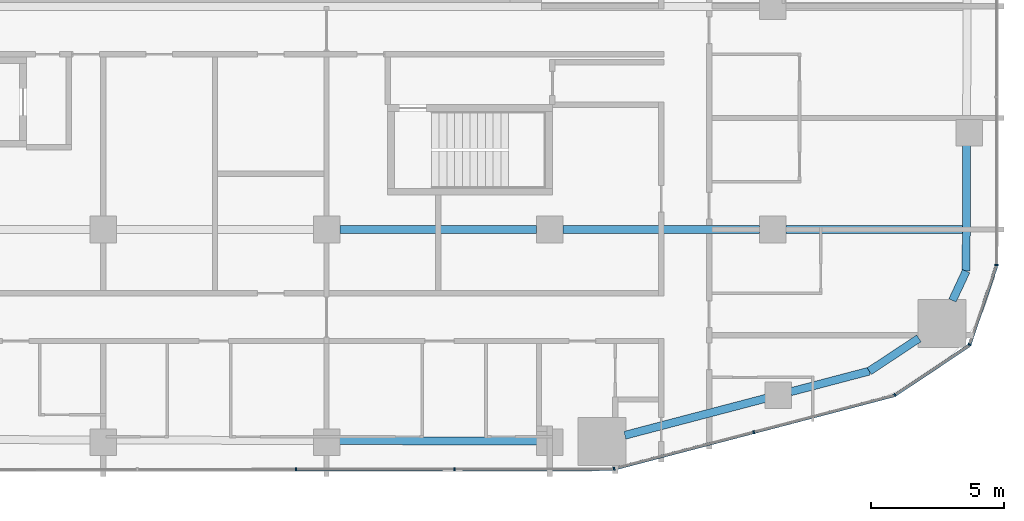
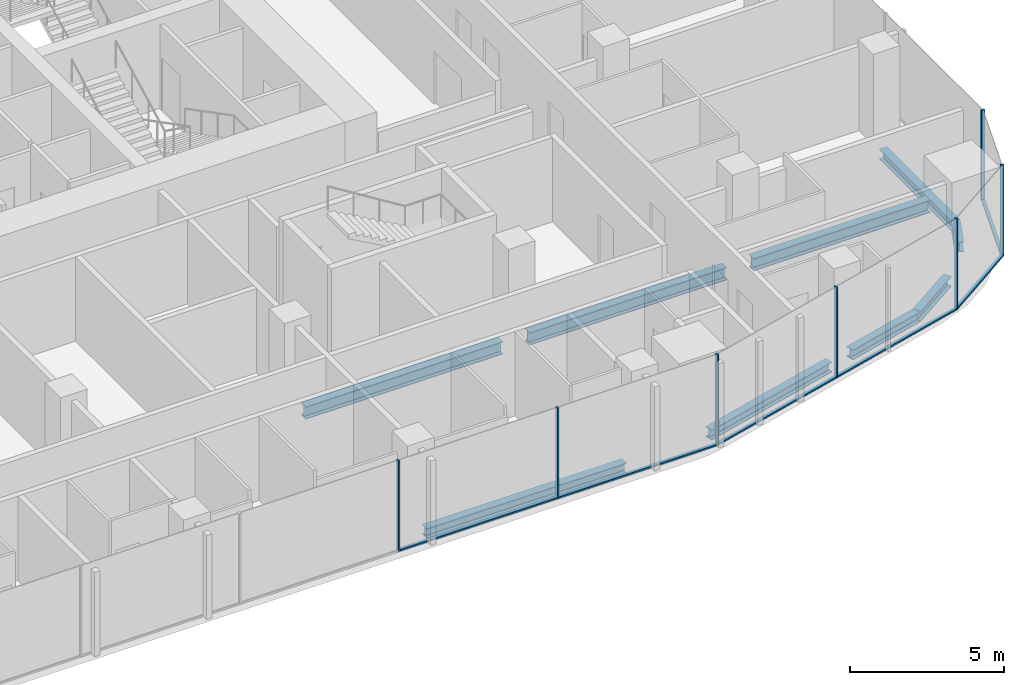
# One storey, part 6 of 26: 13 members, 9 beams, 5 elements without a shape of their own.
"""IFC4 building model written with IfcOpenShell, lengths in metres."""

from ifc_helpers import new_model, si_unit, direction, frame, origin, origin_2d, place, context, subcontext, project, spatial, rectangle, i_section, extrude, material, layer, layer_set, material_profile, profile_set, type_object, element, aggregate, save


model = new_model("IFC4")

# Units and contexts
model_context = context("Model", 3, precision=1e-05, world=origin(), true_north=direction((0.0, 1.0)))
body_context = subcontext(model_context, "Body", "Model", "MODEL_VIEW")
ifc_project = project(units=[si_unit("LENGTHUNIT", "METRE"), si_unit("AREAUNIT", "SQUARE_METRE"), si_unit("VOLUMEUNIT", "CUBIC_METRE"), si_unit("PLANEANGLEUNIT", "RADIAN"), si_unit("MASSUNIT", "GRAM", prefix="KILO")], contexts=[model_context])

# Site, building, storey
site_placement = place(None, origin())
site = spatial("IfcSite", under=ifc_project, at=site_placement, CompositionType="ELEMENT")
building_placement = place(site_placement, origin())
building = spatial("IfcBuilding", under=site, at=building_placement, Name="Marenta Gate Hotel Tower", CompositionType="ELEMENT")
storey_placement = place(building_placement, frame((0.0, 0.0, 58.10009765625)))
storey = spatial("IfcBuildingStorey", under=building, at=storey_placement, Name="L12", CompositionType="ELEMENT", Elevation=58.10009765625)

# Beams
ifc_material_1 = material(Name="Steel S355", Category="steel")
ifc_material_profile_1 = material_profile(ifc_material_1, i_section(OverallWidth=0.300048828125, OverallDepth=0.39990234375, WebThickness=0.013427734375, FlangeThickness=0.02392578125, FilletRadius=0.027099609375, at=origin_2d()), Name="HEB 400")
ifc_profile_set_1 = profile_set([ifc_material_profile_1], Name="Steel S355")
beam_type_1 = type_object("IfcBeamType", Name="Edge beam HEB 400", PredefinedType="SPANDREL", material=ifc_profile_set_1)
beam_1_placement = place(storey_placement, frame((28.291015625, -5.2119140625, -0.460205078125), z_axis=(-0.003337079684, -0.999994431934, 0.0), x_axis=(0.999994431934, -0.003337079684, 0.0)))
element("IfcBeam", 1, at=beam_1_placement, inside=storey, type_object=beam_type_1, Name="L12-EB-27", PredefinedType="SPANDREL", context=body_context, shape_type="SweptSolid", body=[
    extrude(i_section(OverallWidth=0.300048828125, OverallDepth=0.39990234375, WebThickness=0.013427734375, FlangeThickness=0.02392578125, FilletRadius=0.027099609375, at=origin_2d()), origin(), (0.0, 0.0, 1.0), 4.75537109375),
])
beam_2_placement = place(storey_placement, frame((28.275146484375, -9.96728515625, -0.460205078125), z_axis=(-0.423291965192, -0.905993329006, 0.0), x_axis=(0.905993329006, -0.423291965192, 0.0)))
element("IfcBeam", 2, at=beam_2_placement, inside=storey, type_object=beam_type_1, Name="L12-EB-28", PredefinedType="SPANDREL", context=body_context, shape_type="SweptSolid", body=[
    extrude(i_section(OverallWidth=0.300048828125, OverallDepth=0.39990234375, WebThickness=0.013427734375, FlangeThickness=0.02392578125, FilletRadius=0.027099609375, at=origin_2d()), origin(), (0.0, 0.0, 1.0), 1.21630859375),
])
beam_3_placement = place(storey_placement, frame((26.496337890625, -12.498291015625, -0.460205078125), z_axis=(-0.834510054819, -0.550992711754, 0.0), x_axis=(0.550992711754, -0.834510054819, 0.0)))
element("IfcBeam", 3, at=beam_3_placement, inside=storey, type_object=beam_type_1, Name="L12-EB-29", PredefinedType="SPANDREL", context=body_context, shape_type="SweptSolid", body=[
    extrude(i_section(OverallWidth=0.300048828125, OverallDepth=0.39990234375, WebThickness=0.013427734375, FlangeThickness=0.02392578125, FilletRadius=0.027099609375, at=origin_2d()), origin(), (0.0, 0.0, 1.0), 2.237060546875),
])
beam_4_placement = place(storey_placement, frame((24.62939453125, -13.73095703125, -0.460205078125), z_axis=(-0.967228272573, -0.253908386501, 0.0), x_axis=(0.253908386501, -0.967228272573, 0.0)))
element("IfcBeam", 4, at=beam_4_placement, inside=storey, type_object=beam_type_1, Name="L12-EB-30", PredefinedType="SPANDREL", context=body_context, shape_type="SweptSolid", body=[
    extrude(i_section(OverallWidth=0.300048828125, OverallDepth=0.39990234375, WebThickness=0.013427734375, FlangeThickness=0.02392578125, FilletRadius=0.027099609375, at=origin_2d()), origin(), (0.0, 0.0, 1.0), 3.0615234375),
])
beam_5_placement = place(storey_placement, frame((20.74560546875, -14.75048828125, -0.460205078125), z_axis=(-0.967231374294, -0.253896570638, 0.0), x_axis=(0.253896570638, -0.967231374294, 0.0)))
element("IfcBeam", 5, at=beam_5_placement, inside=storey, type_object=beam_type_1, Name="L12-EB-31", PredefinedType="SPANDREL", context=body_context, shape_type="SweptSolid", body=[
    extrude(i_section(OverallWidth=0.300048828125, OverallDepth=0.39990234375, WebThickness=0.013427734375, FlangeThickness=0.02392578125, FilletRadius=0.027099609375, at=origin_2d()), origin(), (0.0, 0.0, 1.0), 5.498291015625),
])
beam_6_placement = place(storey_placement, frame((12.139892578125, -16.365966796875, -0.460205078125), z_axis=(-0.99999624158, 0.002741683018, 0.0), x_axis=(-0.002741683018, -0.99999624158, 0.0)))
element("IfcBeam", 6, at=beam_6_placement, inside=storey, type_object=beam_type_1, Name="L12-EB-32", PredefinedType="SPANDREL", context=body_context, shape_type="SweptSolid", body=[
    extrude(i_section(OverallWidth=0.300048828125, OverallDepth=0.39990234375, WebThickness=0.013427734375, FlangeThickness=0.02392578125, FilletRadius=0.027099609375, at=origin_2d()), origin(), (0.0, 0.0, 1.0), 7.47998046875),
])
ifc_material_2 = material(Name="Steel S355", Category="steel")
ifc_material_profile_2 = material_profile(ifc_material_2, i_section(OverallWidth=0.300048828125, OverallDepth=0.5, WebThickness=0.014404296875, FlangeThickness=0.028076171875, FilletRadius=0.027099609375, at=origin_2d()), Name="HEB 500")
ifc_profile_set_2 = profile_set([ifc_material_profile_2], Name="Steel S355")
beam_type_2 = type_object("IfcBeamType", Name="Girder HEB 500", PredefinedType="BEAM", material=ifc_profile_set_2)
beam_7_placement = place(storey_placement, frame((4.699951171875, -8.39990234375, -0.510009765625), z_axis=(1.0, 0.0, 0.0), x_axis=(0.0, 1.0, 0.0)))
element("IfcBeam", 7, at=beam_7_placement, inside=storey, type_object=beam_type_2, Name="L12-GD-5", PredefinedType="BEAM", context=body_context, shape_type="SweptSolid", body=[
    extrude(i_section(OverallWidth=0.300048828125, OverallDepth=0.5, WebThickness=0.014404296875, FlangeThickness=0.028076171875, FilletRadius=0.027099609375, at=origin_2d()), origin(), (0.0, 0.0, 1.0), 7.400146484375),
])
beam_8_placement = place(storey_placement, frame((13.10009765625, -8.39990234375, -0.510009765625), z_axis=(1.0, 0.0, 0.0), x_axis=(0.0, 1.0, 0.0)))
element("IfcBeam", 8, at=beam_8_placement, inside=storey, type_object=beam_type_2, Name="L12-GD-6", PredefinedType="BEAM", context=body_context, shape_type="SweptSolid", body=[
    extrude(i_section(OverallWidth=0.300048828125, OverallDepth=0.5, WebThickness=0.014404296875, FlangeThickness=0.028076171875, FilletRadius=0.027099609375, at=origin_2d()), origin(), (0.0, 0.0, 1.0), 7.39990234375),
])
beam_9_placement = place(storey_placement, frame((21.5, -8.39990234375, -0.510009765625), z_axis=(1.0, 0.0, 0.0), x_axis=(0.0, 1.0, 0.0)))
element("IfcBeam", 9, at=beam_9_placement, inside=storey, type_object=beam_type_2, Name="L12-GD-7", PredefinedType="BEAM", context=body_context, shape_type="SweptSolid", body=[
    extrude(i_section(OverallWidth=0.300048828125, OverallDepth=0.5, WebThickness=0.014404296875, FlangeThickness=0.028076171875, FilletRadius=0.027099609375, at=origin_2d()), origin(), (0.0, 0.0, 1.0), 6.63037109375),
])

# Curtain wall, members
ifc_material_3 = material(Name="Tinted insulated glass in bronze anodised frame", Category="glass")
ifc_layer = layer(ifc_material_3, 0.1201171875)
ifc_layer_set = layer_set([ifc_layer], Name="Tinted insulated glass in bronze anodised frame")
curtain_wall_type = type_object("IfcCurtainWallType", Name="Tower unitised curtain wall CW1", PredefinedType="NOTDEFINED", material=ifc_layer_set)
curtain_wall_1_placement = place(storey_placement, origin())
curtain_wall_1 = element("IfcCurtainWall", 10, at=curtain_wall_1_placement, inside=storey, type_object=curtain_wall_type, Name="CW1 run G07", PredefinedType="NOTDEFINED")
ifc_material_4 = material(Name="Bronze anodised aluminium", Category="aluminium")
ifc_material_profile_3 = material_profile(ifc_material_4, rectangle(XDim=0.1201171875, YDim=0.06005859375, at=origin_2d()), Name="Mullion CW1 60x120 bronze anodised aluminium")
ifc_profile_set_3 = profile_set([ifc_material_profile_3], Name="Bronze anodised aluminium")
member_type_1 = type_object("IfcMemberType", Name="Mullion CW1 60x120 bronze anodised aluminium", PredefinedType="MULLION", material=ifc_profile_set_3)
member_1_placement = place(storey_placement, frame((3.048095703125, -17.427001953125, 0.0), z_axis=(0.0, 0.0, 1.0), x_axis=(-0.001161921639, 0.999999324969, 0.0)))
member_1 = element("IfcMember", 11, at=member_1_placement, type_object=member_type_1, Name="CW1 mullion 4", PredefinedType="MULLION", context=body_context, shape_type="SweptSolid", body=[
    extrude(rectangle(XDim=0.1201171875, YDim=0.06005859375, at=origin_2d()), origin(), (0.0, 0.0, 1.0), 3.599853515625),
])
member_2_placement = place(storey_placement, frame((9.020751953125, -17.419921875, 0.0), z_axis=(0.0, 0.0, 1.0), x_axis=(-0.001161921639, 0.999999324969, 0.0)))
member_2 = element("IfcMember", 12, at=member_2_placement, type_object=member_type_1, Name="CW1 mullion 5", PredefinedType="MULLION", context=body_context, shape_type="SweptSolid", body=[
    extrude(rectangle(XDim=0.1201171875, YDim=0.06005859375, at=origin_2d()), origin(), (0.0, 0.0, 1.0), 3.599853515625),
])

curtain_wall_2_placement = place(storey_placement, origin())
curtain_wall_2 = element("IfcCurtainWall", 13, at=curtain_wall_2_placement, inside=storey, type_object=curtain_wall_type, Name="CW1 run G08", PredefinedType="NOTDEFINED")
member_3_placement = place(storey_placement, frame((15.022705078125, -17.405517578125, 0.0), z_axis=(0.0, 0.0, 1.0), x_axis=(-0.25337182621, 0.967368966674, 0.0)))
member_3 = element("IfcMember", 14, at=member_3_placement, type_object=member_type_1, Name="CW1 mullion 1", PredefinedType="MULLION", context=body_context, shape_type="SweptSolid", body=[
    extrude(rectangle(XDim=0.1201171875, YDim=0.06005859375, at=origin_2d()), origin(), (0.0, 0.0, 1.0), 3.599853515625),
])
member_4_placement = place(storey_placement, frame((20.28076171875, -16.0283203125, 0.0), z_axis=(0.0, 0.0, 1.0), x_axis=(-0.25337182621, 0.967368966674, 0.0)))
member_4 = element("IfcMember", 15, at=member_4_placement, type_object=member_type_1, Name="CW1 mullion 2", PredefinedType="MULLION", context=body_context, shape_type="SweptSolid", body=[
    extrude(rectangle(XDim=0.1201171875, YDim=0.06005859375, at=origin_2d()), origin(), (0.0, 0.0, 1.0), 3.599853515625),
])

# Curtain wall, member
curtain_wall_3_placement = place(storey_placement, origin())
curtain_wall_3 = element("IfcCurtainWall", 16, at=curtain_wall_3_placement, inside=storey, type_object=curtain_wall_type, Name="CW1 run G09", PredefinedType="NOTDEFINED")
member_5_placement = place(storey_placement, frame((25.592529296875, -14.626953125, 0.0), z_axis=(0.0, 0.0, 1.0), x_axis=(-0.554034324326, 0.832493824282, 0.0)))
member_5 = element("IfcMember", 17, at=member_5_placement, type_object=member_type_1, Name="CW1 mullion 1", PredefinedType="MULLION", context=body_context, shape_type="SweptSolid", body=[
    extrude(rectangle(XDim=0.1201171875, YDim=0.06005859375, at=origin_2d()), origin(), (0.0, 0.0, 1.0), 3.599853515625),
])

curtain_wall_4_placement = place(storey_placement, origin())
curtain_wall_4 = element("IfcCurtainWall", 18, at=curtain_wall_4_placement, inside=storey, type_object=curtain_wall_type, Name="CW1 run G10", PredefinedType="NOTDEFINED")
member_6_placement = place(storey_placement, frame((28.405517578125, -12.73291015625, 0.0), z_axis=(0.0, 0.0, 1.0), x_axis=(-0.946729939312, 0.322028604337, 0.0)))
member_6 = element("IfcMember", 19, at=member_6_placement, type_object=member_type_1, Name="CW1 mullion 1", PredefinedType="MULLION", context=body_context, shape_type="SweptSolid", body=[
    extrude(rectangle(XDim=0.1201171875, YDim=0.06005859375, at=origin_2d()), origin(), (0.0, 0.0, 1.0), 3.599853515625),
])

curtain_wall_5_placement = place(storey_placement, origin())
curtain_wall_5 = element("IfcCurtainWall", 20, at=curtain_wall_5_placement, inside=storey, type_object=curtain_wall_type, Name="CW1 run G11", PredefinedType="NOTDEFINED")
member_7_placement = place(storey_placement, frame((29.4140625, -9.738037109375, 0.0), z_axis=(0.0, 0.0, 1.0), x_axis=(-1.0, 0.0, 0.0)))
member_7 = element("IfcMember", 21, at=member_7_placement, type_object=member_type_1, Name="CW1 mullion 1", PredefinedType="MULLION", context=body_context, shape_type="SweptSolid", body=[
    extrude(rectangle(XDim=0.1201171875, YDim=0.06005859375, at=origin_2d()), origin(), (0.0, 0.0, 1.0), 3.599853515625),
])
aggregate(curtain_wall_5, [member_7])

# Member
ifc_material_5 = material(Name="Bronze anodised aluminium", Category="aluminium")
ifc_material_profile_4 = material_profile(ifc_material_5, rectangle(XDim=0.1201171875, YDim=0.06005859375, at=origin_2d()), Name="Transom CW1 60x120 bronze anodised aluminium")
ifc_profile_set_4 = profile_set([ifc_material_profile_4], Name="Bronze anodised aluminium")
member_type_2 = type_object("IfcMemberType", Name="Transom CW1 60x120 bronze anodised aluminium", PredefinedType="USERDEFINED", material=ifc_profile_set_4)
member_8_placement = place(storey_placement, frame((3.077880859375, -17.427001953125, 0.02978515625), z_axis=(0.999999331697, 0.001156116326, 0.0), x_axis=(-0.001156116326, 0.999999331697, 0.0)))
member_8 = element("IfcMember", 22, at=member_8_placement, type_object=member_type_2, Name="CW1 transom 4.1", ObjectType="TRANSOM", PredefinedType="USERDEFINED", context=body_context, shape_type="SweptSolid", body=[
    extrude(rectangle(XDim=0.1201171875, YDim=0.06005859375, at=origin_2d()), origin(), (0.0, 0.0, 1.0), 5.912841796875),
])

member_9_placement = place(storey_placement, frame((9.05078125, -17.419921875, 0.02978515625), z_axis=(0.999999338434, 0.001150274483, 0.0), x_axis=(-0.001150274483, 0.999999338434, 0.0)))
member_9 = element("IfcMember", 23, at=member_9_placement, type_object=member_type_2, Name="CW1 transom 5.1", ObjectType="TRANSOM", PredefinedType="USERDEFINED", context=body_context, shape_type="SweptSolid", body=[
    extrude(rectangle(XDim=0.1201171875, YDim=0.06005859375, at=origin_2d()), origin(), (0.0, 0.0, 1.0), 5.94287109375),
])

aggregate(curtain_wall_1, [member_1, member_2, member_8, member_9])

member_10_placement = place(storey_placement, frame((15.0517578125, -17.39794921875, 0.02978515625), z_axis=(0.96736453676, 0.253388738935, 0.0), x_axis=(-0.253388738935, 0.96736453676, 0.0)))
member_10 = element("IfcMember", 24, at=member_10_placement, type_object=member_type_2, Name="CW1 transom 1.1", ObjectType="TRANSOM", PredefinedType="USERDEFINED", context=body_context, shape_type="SweptSolid", body=[
    extrude(rectangle(XDim=0.1201171875, YDim=0.06005859375, at=origin_2d()), origin(), (0.0, 0.0, 1.0), 5.37548828125),
])

member_11_placement = place(storey_placement, frame((20.3095703125, -16.020751953125, 0.02978515625), z_axis=(0.967368291574, 0.253374403713, 0.0), x_axis=(-0.253374403713, 0.967368291574, 0.0)))
member_11 = element("IfcMember", 25, at=member_11_placement, type_object=member_type_2, Name="CW1 transom 2.1", ObjectType="TRANSOM", PredefinedType="USERDEFINED", context=body_context, shape_type="SweptSolid", body=[
    extrude(rectangle(XDim=0.1201171875, YDim=0.06005859375, at=origin_2d()), origin(), (0.0, 0.0, 1.0), 5.435302734375),
])

aggregate(curtain_wall_2, [member_3, member_4, member_10, member_11])

member_12_placement = place(storey_placement, frame((25.617431640625, -14.6103515625, 0.02978515625), z_axis=(0.832511449854, 0.554007839169, 0.0), x_axis=(-0.554007839169, 0.832511449854, 0.0)))
member_12 = element("IfcMember", 26, at=member_12_placement, type_object=member_type_2, Name="CW1 transom 1.1", ObjectType="TRANSOM", PredefinedType="USERDEFINED", context=body_context, shape_type="SweptSolid", body=[
    extrude(rectangle(XDim=0.1201171875, YDim=0.06005859375, at=origin_2d()), origin(), (0.0, 0.0, 1.0), 3.337158203125),
])

aggregate(curtain_wall_3, [member_5, member_12])

member_13_placement = place(storey_placement, frame((28.4150390625, -12.70458984375, 0.02978515625), z_axis=(0.3220776996, 0.94671323822, 0.0), x_axis=(-0.94671323822, 0.3220776996, 0.0)))
member_13 = element("IfcMember", 27, at=member_13_placement, type_object=member_type_2, Name="CW1 transom 1.1", ObjectType="TRANSOM", PredefinedType="USERDEFINED", context=body_context, shape_type="SweptSolid", body=[
    extrude(rectangle(XDim=0.1201171875, YDim=0.06005859375, at=origin_2d()), origin(), (0.0, 0.0, 1.0), 3.101806640625),
])

aggregate(curtain_wall_4, [member_6, member_13])

save(model, "model.ifc")
